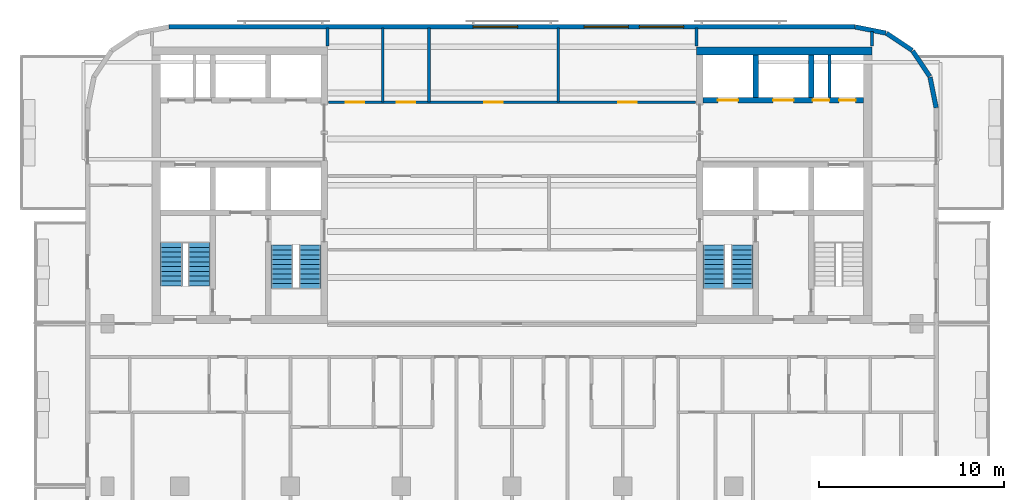
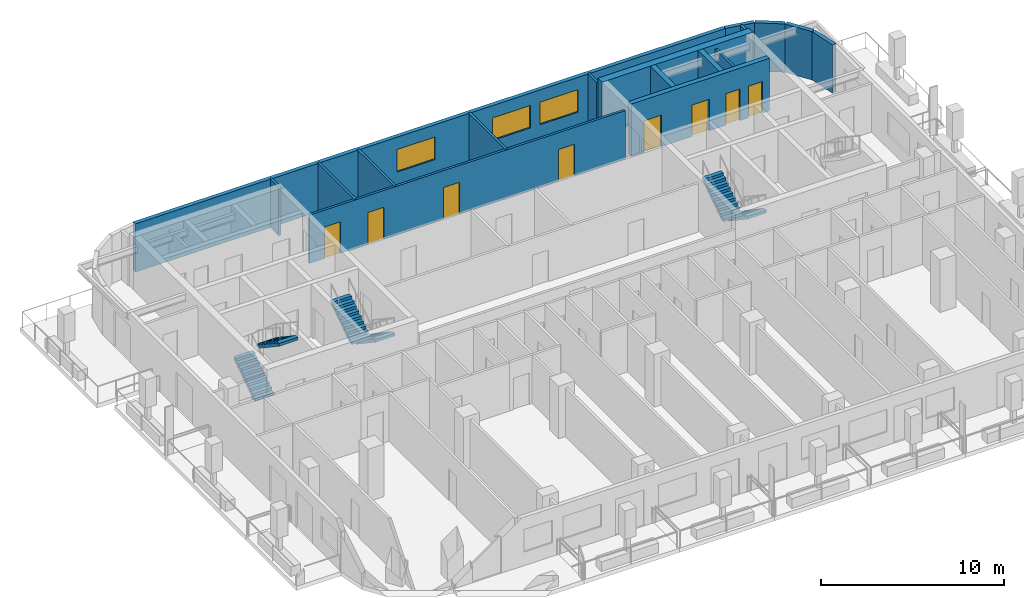
# One storey, part 7 of 11: 17 walls, 8 doors, 6 stair flights, 3 windows, 11 openings, 3 elements without a shape of their own.
"""IFC4 building model written with IfcOpenShell, lengths in metres."""

from ifc_helpers import new_model, si_unit, direction, frame, frame_2d, origin, place, context, subcontext, project, spatial, polyline, rectangle, outline, extrude, material, layer, layer_set, type_object, element, fill, aggregate, save


model = new_model("IFC4")

# Units and contexts
model_context = context("Model", 3, precision=1e-05, world=origin(), true_north=direction((0.0, 1.0)))
body_context = subcontext(model_context, "Body", "Model", "MODEL_VIEW")
ifc_project = project(units=[si_unit("LENGTHUNIT", "METRE"), si_unit("AREAUNIT", "SQUARE_METRE"), si_unit("VOLUMEUNIT", "CUBIC_METRE"), si_unit("PLANEANGLEUNIT", "RADIAN"), si_unit("MASSUNIT", "GRAM", prefix="KILO")], contexts=[model_context])

# Site, building, storey
site_placement = place(None, origin())
site = spatial("IfcSite", under=ifc_project, at=site_placement, CompositionType="ELEMENT")
building_placement = place(site_placement, origin())
building = spatial("IfcBuilding", under=site, at=building_placement, Name="Torana Hotel and Residences", CompositionType="ELEMENT")
storey_placement = place(building_placement, frame((0.0, 0.0, 256.10009765625)))
storey = spatial("IfcBuildingStorey", under=building, at=storey_placement, Name="L67", CompositionType="ELEMENT", Elevation=256.10009765625)

# Wall, openings, doors
ifc_material_1 = material(Name="Concrete C60/75", Category="concrete")
ifc_layer_1 = layer(ifc_material_1, 0.300048828125)
ifc_layer_set_1 = layer_set([ifc_layer_1], Name="CORE WALL 300 C60/75")
wall_type_1 = type_object("IfcWallType", Name="CORE WALL 300 C60/75", PredefinedType="SHEAR", material=ifc_layer_set_1)
wall_1_placement = place(storey_placement, frame((10.35009765625, -2.89990234375, 0.0), z_axis=(0.0, 0.0, 1.0), x_axis=(1.0, 0.0, 0.0)))
wall_1 = element("IfcWall", 1, at=wall_1_placement, inside=storey, type_object=wall_type_1, Name="Core wall E row-N", PredefinedType="SHEAR", context=body_context, shape_type="SweptSolid", body=[
    extrude(rectangle(XDim=8.699951171875, YDim=0.300048828125, at=frame_2d((4.35009765625, 0.0))), origin(), (0.0, 0.0, 1.0), 3.5),
])
opening_1_placement = place(wall_1_placement, frame((0.800048828125, 0.0, 0.0)))
opening_1 = element("IfcOpeningElement", 2, at=opening_1_placement, cuts=wall_1, Name="Opening LD", PredefinedType="OPENING", context=body_context, shape_type="SweptSolid", body=[
    extrude(rectangle(XDim=1.10009765625, YDim=2.10009765625, at=frame_2d((0.550048828125, 1.050048828125))), frame((0.0, 0.159912109375, 0.0), z_axis=(0.0, -1.0, 0.0), x_axis=(1.0, 0.0, 0.0)), (0.0, 0.0, 1.0), 0.320068359375),
])
opening_2_placement = place(wall_1_placement, frame((3.800048828125, 0.0, 0.0)))
opening_2 = element("IfcOpeningElement", 3, at=opening_2_placement, cuts=wall_1, Name="Opening LD", PredefinedType="OPENING", context=body_context, shape_type="SweptSolid", body=[
    extrude(rectangle(XDim=1.10009765625, YDim=2.10009765625, at=frame_2d((0.550048828125, 1.050048828125))), frame((0.0, 0.159912109375, 0.0), z_axis=(0.0, -1.0, 0.0), x_axis=(1.0, 0.0, 0.0)), (0.0, 0.0, 1.0), 0.320068359375),
])
opening_3_placement = place(wall_1_placement, frame((5.9375, 0.0, 0.0)))
opening_3 = element("IfcOpeningElement", 4, at=opening_3_placement, cuts=wall_1, Name="Opening L67-15", PredefinedType="OPENING", context=body_context, shape_type="SweptSolid", body=[
    extrude(rectangle(XDim=0.89990234375, YDim=2.10009765625, at=frame_2d((0.449951171875, 1.050048828125))), frame((0.0, 0.159912109375, 0.0), z_axis=(0.0, -1.0, 0.0), x_axis=(1.0, 0.0, 0.0)), (0.0, 0.0, 1.0), 0.320068359375),
])
opening_4_placement = place(wall_1_placement, frame((7.362548828125, 0.0, 0.0)))
opening_4 = element("IfcOpeningElement", 5, at=opening_4_placement, cuts=wall_1, Name="Opening L67-16", PredefinedType="OPENING", context=body_context, shape_type="SweptSolid", body=[
    extrude(rectangle(XDim=0.89990234375, YDim=2.10009765625, at=frame_2d((0.449951171875, 1.050048828125))), frame((0.0, 0.159912109375, 0.0), z_axis=(0.0, -1.0, 0.0), x_axis=(1.0, 0.0, 0.0)), (0.0, 0.0, 1.0), 0.320068359375),
])
ifc_material_2 = material(Name="Stainless steel 316", Category="steel")
door_type_1 = type_object("IfcDoorType", Name="LIFT LANDING DOOR LD 1100x2100", OperationType="DOUBLE_DOOR_SLIDING", PredefinedType="USERDEFINED", material=ifc_material_2)
door_1_placement = place(opening_1_placement, origin())
door_1 = element("IfcDoor", 6, at=door_1_placement, inside=storey, type_object=door_type_1, Name="Lift landing door H3 L67", ObjectType="LIFT LANDING DOOR", OperationType="DOUBLE_DOOR_SLIDING", OverallHeight=2.10009765625, OverallWidth=1.10009765625, PredefinedType="USERDEFINED", context=body_context, shape_type="SweptSolid", body=[
    extrude(rectangle(XDim=1.10009765625, YDim=2.10009765625, at=frame_2d((0.550048828125, 1.050048828125))), frame((0.0, 0.02490234375, 0.0), z_axis=(0.0, -1.0, 0.0), x_axis=(1.0, 0.0, 0.0)), (0.0, 0.0, 1.0), 0.050048828125),
])
fill(opening_1, door_1)
door_2_placement = place(opening_2_placement, origin())
door_2 = element("IfcDoor", 7, at=door_2_placement, inside=storey, type_object=door_type_1, Name="Lift landing door H4 L67", ObjectType="LIFT LANDING DOOR", OperationType="DOUBLE_DOOR_SLIDING", OverallHeight=2.10009765625, OverallWidth=1.10009765625, PredefinedType="USERDEFINED", context=body_context, shape_type="SweptSolid", body=[
    extrude(rectangle(XDim=1.10009765625, YDim=2.10009765625, at=frame_2d((0.550048828125, 1.050048828125))), frame((0.0, 0.02490234375, 0.0), z_axis=(0.0, -1.0, 0.0), x_axis=(1.0, 0.0, 0.0)), (0.0, 0.0, 1.0), 0.050048828125),
])
fill(opening_2, door_2)
ifc_material_3 = material(Name="Steel S235", Category="steel")
door_type_2 = type_object("IfcDoorType", Name="RISER ACCESS DOOR D5 900x2100", OperationType="SINGLE_SWING_LEFT", PredefinedType="DOOR", material=ifc_material_3)
door_3_placement = place(opening_3_placement, origin())
door_3 = element("IfcDoor", 8, at=door_3_placement, inside=storey, type_object=door_type_2, Name="N2A door L67", OperationType="SINGLE_SWING_RIGHT", OverallHeight=2.10009765625, OverallWidth=0.89990234375, PredefinedType="DOOR", context=body_context, shape_type="SweptSolid", body=[
    extrude(rectangle(XDim=0.89990234375, YDim=2.10009765625, at=frame_2d((0.449951171875, 1.050048828125))), frame((0.0, 0.02490234375, 0.0), z_axis=(0.0, -1.0, 0.0), x_axis=(1.0, 0.0, 0.0)), (0.0, 0.0, 1.0), 0.050048828125),
])
fill(opening_3, door_3)
door_4_placement = place(opening_4_placement, origin())
door_4 = element("IfcDoor", 9, at=door_4_placement, inside=storey, type_object=door_type_2, Name="N2B door L67", OperationType="SINGLE_SWING_RIGHT", OverallHeight=2.10009765625, OverallWidth=0.89990234375, PredefinedType="DOOR", context=body_context, shape_type="SweptSolid", body=[
    extrude(rectangle(XDim=0.89990234375, YDim=2.10009765625, at=frame_2d((0.449951171875, 1.050048828125))), frame((0.0, 0.02490234375, 0.0), z_axis=(0.0, -1.0, 0.0), x_axis=(1.0, 0.0, 0.0)), (0.0, 0.0, 1.0), 0.050048828125),
])
fill(opening_4, door_4)

# Walls
for number, where, z_axis, x_axis, name in (
    (10, (13.199951171875, -2.75, 0.0), (0.0, 0.0, 1.0), (0.0, 1.0, 0.0), "Core wall E x3.05-N"),
    (11, (16.199951171875, -2.75, 0.0), (0.0, 0.0, 1.0), (0.0, 1.0, 0.0), "Core wall E x6.05-N"),
):
    element("IfcWall", number, at=place(storey_placement, frame(where, z_axis=z_axis, x_axis=x_axis)), inside=storey, type_object=wall_type_1, Name=name, PredefinedType="SHEAR", context=body_context, shape_type="SweptSolid", body=[
        extrude(rectangle(XDim=2.300048828125, YDim=0.300048828125, at=frame_2d((1.14990234375, 0.0))), origin(), (0.0, 0.0, 1.0), 3.5),
    ])
ifc_material_4 = material(Name="Concrete C60/75", Category="concrete")
ifc_layer_2 = layer(ifc_material_4, 0.449951171875)
ifc_layer_set_2 = layer_set([ifc_layer_2], Name="CORE WALL 450 C60/75")
wall_type_2 = type_object("IfcWallType", Name="CORE WALL 450 C60/75", PredefinedType="SHEAR", material=ifc_layer_set_2)
wall_2_placement = place(storey_placement, frame((10.0, -0.22509765625, 0.0), z_axis=(0.0, 0.0, 1.0), x_axis=(1.0, 0.0, 0.0)))
element("IfcWall", 12, at=wall_2_placement, inside=storey, type_object=wall_type_2, Name="Core wall E rear", PredefinedType="SHEAR", context=body_context, shape_type="SweptSolid", body=[
    extrude(rectangle(XDim=9.5, YDim=0.449951171875, at=frame_2d((4.75, 0.0))), origin(), (0.0, 0.0, 1.0), 3.5),
])
ifc_material_5 = material(Name="Black aluminium composite panel", Category="aluminium")
ifc_layer_3 = layer(ifc_material_5, 0.00390625, Name="Cladding", Category="cladding")
ifc_material_6 = material(Name="Ventilated air cavity")
ifc_layer_4 = layer(ifc_material_6, 0.0400390625, Name="Ventilated cavity", Category="cavity")
ifc_material_7 = material(Name="Mineral wool insulation")
ifc_layer_5 = layer(ifc_material_7, 0.090087890625, Name="Insulation", Category="insulation")
ifc_material_8 = material(Name="Steel S280GD", Category="steel")
ifc_layer_6 = layer(ifc_material_8, 0.092041015625, Name="Steel stud frame", Category="structure")
ifc_material_9 = material(Name="Fire rated plasterboard")
ifc_layer_7 = layer(ifc_material_9, 0.011962890625, Name="Inner board", Category="finish")
ifc_layer_8 = layer(ifc_material_9, 0.011962890625, Name="Second board", Category="finish")
ifc_layer_set_3 = layer_set([ifc_layer_3, ifc_layer_4, ifc_layer_5, ifc_layer_6, ifc_layer_7, ifc_layer_8], Name="EW1 EXTERNAL WALL BLACK METAL CLAD 250")
wall_type_3 = type_object("IfcWallType", Name="EW1 EXTERNAL WALL BLACK METAL CLAD 250", PredefinedType="SOLIDWALL", material=ifc_layer_set_3)
wall_3_placement = place(storey_placement, frame((22.97265625, -3.30029296875, 0.0), z_axis=(0.0, 0.0, 1.0), x_axis=(-0.19513878023, 0.980775640221, 0.0)))
element("IfcWall", 13, at=wall_3_placement, inside=storey, type_object=wall_type_3, Name="External wall L67 e0.0", PredefinedType="SOLIDWALL", context=body_context, shape_type="SweptSolid", body=[
    extrude(rectangle(XDim=1.681396484375, YDim=0.25, at=frame_2d((0.8408203125, 0.0))), origin(), (0.0, 0.0, 1.0), 3.219970703125),
])
for number, where, z_axis, x_axis, name in (
    (14, (22.6259765625, -1.60595703125, 0.0), (0.0, 0.0, 1.0), (-0.55555029066, 0.831482937015, 0.0), "External wall L67 e0.1"),
    (15, (21.671142578125, -0.1943359375, 0.0), (0.0, 0.0, 1.0), (-0.831482937015, 0.55555029066, 0.0), "External wall L67 e0.2"),
):
    element("IfcWall", number, at=place(storey_placement, frame(where, z_axis=z_axis, x_axis=x_axis)), inside=storey, type_object=wall_type_3, Name=name, PredefinedType="SOLIDWALL", context=body_context, shape_type="SweptSolid", body=[
        extrude(rectangle(XDim=1.65625, YDim=0.25, at=frame_2d((0.828125, 0.0))), origin(), (0.0, 0.0, 1.0), 3.219970703125),
    ])
wall_4_placement = place(storey_placement, frame((20.248779296875, 0.74462890625, 0.0), z_axis=(0.0, 0.0, 1.0), x_axis=(-0.980797896849, 0.195026884138, 0.0)))
element("IfcWall", 16, at=wall_4_placement, inside=storey, type_object=wall_type_3, Name="External wall L67 e0.3", PredefinedType="SOLIDWALL", context=body_context, shape_type="SweptSolid", body=[
    extrude(rectangle(XDim=1.68115234375, YDim=0.25, at=frame_2d((0.840576171875, 0.0))), origin(), (0.0, 0.0, 1.0), 3.219970703125),
])

# Wall, openings, windows
ifc_material_10 = material(Name="Concrete C40/50 precast", Category="concrete")
ifc_layer_9 = layer(ifc_material_10, 0.10009765625, Name="Perforated block", Category="cladding")
ifc_material_11 = material(Name="Air cavity")
ifc_layer_10 = layer(ifc_material_11, 0.030029296875, Name="Cavity", Category="cavity")
ifc_material_12 = material(Name="Concrete C40/50", Category="concrete")
ifc_layer_11 = layer(ifc_material_12, 0.10009765625, Name="Wall", Category="structure")
ifc_material_13 = material(Name="Plaster and paint")
ifc_layer_12 = layer(ifc_material_13, 0.02001953125, Name="Inner finish", Category="finish")
ifc_layer_set_4 = layer_set([ifc_layer_9, ifc_layer_10, ifc_layer_11, ifc_layer_12], Name="EW2 PERFORATED BLOCK SCREEN WALL 250")
wall_type_4 = type_object("IfcWallType", Name="EW2 PERFORATED BLOCK SCREEN WALL 250", PredefinedType="SOLIDWALL", material=ifc_layer_set_4)
wall_5_placement = place(storey_placement, frame((18.575439453125, 1.074951171875, 0.0), z_axis=(0.0, 0.0, 1.0), x_axis=(-1.0, 0.0, 0.0)))
wall_5 = element("IfcWall", 17, at=wall_5_placement, inside=storey, type_object=wall_type_4, Name="External wall L67 e0.4", PredefinedType="SOLIDWALL", context=body_context, shape_type="SweptSolid", body=[
    extrude(rectangle(XDim=37.15087890625, YDim=0.25, at=frame_2d((18.575439453125, 0.0))), origin(), (0.0, 0.0, 1.0), 3.219970703125),
])
opening_5_placement = place(wall_5_placement, frame((9.275390625, 0.0, 0.89990234375)))
opening_5 = element("IfcOpeningElement", 18, at=opening_5_placement, cuts=wall_5, Name="Opening W3", PredefinedType="OPENING", context=body_context, shape_type="SweptSolid", body=[
    extrude(rectangle(XDim=2.39990234375, YDim=1.5, at=frame_2d((1.199951171875, 0.75))), frame((0.0, 0.135009765625, 0.0), z_axis=(0.0, -1.0, 0.0), x_axis=(1.0, 0.0, 0.0)), (0.0, 0.0, 1.0), 0.27001953125),
])
opening_6_placement = place(wall_5_placement, frame((12.275390625, 0.0, 0.89990234375)))
opening_6 = element("IfcOpeningElement", 19, at=opening_6_placement, cuts=wall_5, Name="Opening W3", PredefinedType="OPENING", context=body_context, shape_type="SweptSolid", body=[
    extrude(rectangle(XDim=2.39990234375, YDim=1.5, at=frame_2d((1.199951171875, 0.75))), frame((0.0, 0.135009765625, 0.0), z_axis=(0.0, -1.0, 0.0), x_axis=(1.0, 0.0, 0.0)), (0.0, 0.0, 1.0), 0.27001953125),
])
opening_7_placement = place(wall_5_placement, frame((18.275390625, 0.0, 0.89990234375)))
opening_7 = element("IfcOpeningElement", 20, at=opening_7_placement, cuts=wall_5, Name="Opening W3", PredefinedType="OPENING", context=body_context, shape_type="SweptSolid", body=[
    extrude(rectangle(XDim=2.39990234375, YDim=1.5, at=frame_2d((1.199951171875, 0.75))), frame((0.0, 0.135009765625, 0.0), z_axis=(0.0, -1.0, 0.0), x_axis=(1.0, 0.0, 0.0)), (0.0, 0.0, 1.0), 0.27001953125),
])
ifc_material_14 = material(Name="Dark glass in black aluminium frame", Category="aluminium")
window_type = type_object("IfcWindowType", Name="W3 RESIDENCE WINDOW 2400x1500", PartitioningType="SINGLE_PANEL", PredefinedType="WINDOW", material=ifc_material_14)
window_1_placement = place(opening_5_placement, origin())
window_1 = element("IfcWindow", 21, at=window_1_placement, inside=storey, type_object=window_type, Name="Window L67", OverallHeight=1.5, OverallWidth=2.39990234375, PartitioningType="SINGLE_PANEL", PredefinedType="WINDOW", context=body_context, shape_type="SweptSolid", body=[
    extrude(rectangle(XDim=2.39990234375, YDim=1.5, at=frame_2d((1.199951171875, 0.75))), frame((0.0, 0.030029296875, 0.0), z_axis=(0.0, -1.0, 0.0), x_axis=(1.0, 0.0, 0.0)), (0.0, 0.0, 1.0), 0.06005859375),
])
fill(opening_5, window_1)
window_2_placement = place(opening_6_placement, origin())
window_2 = element("IfcWindow", 22, at=window_2_placement, inside=storey, type_object=window_type, Name="Window L67", OverallHeight=1.5, OverallWidth=2.39990234375, PartitioningType="SINGLE_PANEL", PredefinedType="WINDOW", context=body_context, shape_type="SweptSolid", body=[
    extrude(rectangle(XDim=2.39990234375, YDim=1.5, at=frame_2d((1.199951171875, 0.75))), frame((0.0, 0.030029296875, 0.0), z_axis=(0.0, -1.0, 0.0), x_axis=(1.0, 0.0, 0.0)), (0.0, 0.0, 1.0), 0.06005859375),
])
fill(opening_6, window_2)
window_3_placement = place(opening_7_placement, origin())
window_3 = element("IfcWindow", 23, at=window_3_placement, inside=storey, type_object=window_type, Name="Window L67", OverallHeight=1.5, OverallWidth=2.39990234375, PartitioningType="SINGLE_PANEL", PredefinedType="WINDOW", context=body_context, shape_type="SweptSolid", body=[
    extrude(rectangle(XDim=2.39990234375, YDim=1.5, at=frame_2d((1.199951171875, 0.75))), frame((0.0, 0.030029296875, 0.0), z_axis=(0.0, -1.0, 0.0), x_axis=(1.0, 0.0, 0.0)), (0.0, 0.0, 1.0), 0.06005859375),
])
fill(opening_7, window_3)

# Wall
ifc_material_15 = material(Name="Gypsum plaster")
ifc_layer_13 = layer(ifc_material_15, 0.014892578125, Name="Plaster", Category="finish")
ifc_material_16 = material(Name="Concrete blockwork", Category="masonry")
ifc_layer_14 = layer(ifc_material_16, 0.1201171875, Name="Blockwork", Category="structure")
ifc_layer_15 = layer(ifc_material_15, 0.014892578125, Name="Plaster", Category="finish")
ifc_layer_set_5 = layer_set([ifc_layer_13, ifc_layer_14, ifc_layer_15], Name="FIRE PARTITION 150 BLOCKWORK")
wall_type_5 = type_object("IfcWallType", Name="FIRE PARTITION 150 BLOCKWORK", PredefinedType="PARTITIONING", material=ifc_layer_set_5)
wall_6_placement = place(storey_placement, frame((17.199951171875, -2.75, 0.0), z_axis=(0.0, 0.0, 1.0), x_axis=(0.0, 1.0, 0.0)))
element("IfcWall", 24, at=wall_6_placement, inside=storey, type_object=wall_type_5, Name="Core partition L67", PredefinedType="PARTITIONING", context=body_context, shape_type="SweptSolid", body=[
    extrude(rectangle(XDim=2.300048828125, YDim=0.14990234375, at=frame_2d((1.14990234375, 0.0))), origin(), (0.0, 0.0, 1.0), 3.199951171875),
])

# Wall, openings, doors
wall_7_placement = place(storey_placement, frame((-9.949951171875, -3.0, 0.0), z_axis=(0.0, 0.0, 1.0), x_axis=(1.0, 0.0, 0.0)))
wall_7 = element("IfcWall", 25, at=wall_7_placement, inside=storey, type_object=wall_type_5, Name="Partition L67", PredefinedType="PARTITIONING", context=body_context, shape_type="SweptSolid", body=[
    extrude(rectangle(XDim=19.89990234375, YDim=0.14990234375, at=frame_2d((9.949951171875, 0.0))), origin(), (0.0, 0.0, 1.0), 3.219970703125),
])
opening_8_placement = place(wall_7_placement, frame((0.949951171875, 0.0, 0.0)))
opening_8 = element("IfcOpeningElement", 26, at=opening_8_placement, cuts=wall_7, Name="Opening L67-35", PredefinedType="OPENING", context=body_context, shape_type="SweptSolid", body=[
    extrude(rectangle(XDim=1.0, YDim=2.10009765625, at=frame_2d((0.5, 1.050048828125))), frame((0.0, 0.0849609375, 0.0), z_axis=(0.0, -1.0, 0.0), x_axis=(1.0, 0.0, 0.0)), (0.0, 0.0, 1.0), 0.169921875),
])
opening_9_placement = place(wall_7_placement, frame((3.699951171875, 0.0, 0.0)))
opening_9 = element("IfcOpeningElement", 27, at=opening_9_placement, cuts=wall_7, Name="Opening L67-36", PredefinedType="OPENING", context=body_context, shape_type="SweptSolid", body=[
    extrude(rectangle(XDim=1.0, YDim=2.10009765625, at=frame_2d((0.5, 1.050048828125))), frame((0.0, 0.0849609375, 0.0), z_axis=(0.0, -1.0, 0.0), x_axis=(1.0, 0.0, 0.0)), (0.0, 0.0, 1.0), 0.169921875),
])
opening_10_placement = place(wall_7_placement, frame((8.449951171875, 0.0, 0.0)))
opening_10 = element("IfcOpeningElement", 28, at=opening_10_placement, cuts=wall_7, Name="Opening L67-37", PredefinedType="OPENING", context=body_context, shape_type="SweptSolid", body=[
    extrude(rectangle(XDim=1.0, YDim=2.10009765625, at=frame_2d((0.5, 1.050048828125))), frame((0.0, 0.0849609375, 0.0), z_axis=(0.0, -1.0, 0.0), x_axis=(1.0, 0.0, 0.0)), (0.0, 0.0, 1.0), 0.169921875),
])
opening_11_placement = place(wall_7_placement, frame((15.699951171875, 0.0, 0.0)))
opening_11 = element("IfcOpeningElement", 29, at=opening_11_placement, cuts=wall_7, Name="Opening L67-38", PredefinedType="OPENING", context=body_context, shape_type="SweptSolid", body=[
    extrude(rectangle(XDim=1.0, YDim=2.10009765625, at=frame_2d((0.5, 1.050048828125))), frame((0.0, 0.0849609375, 0.0), z_axis=(0.0, -1.0, 0.0), x_axis=(1.0, 0.0, 0.0)), (0.0, 0.0, 1.0), 0.169921875),
])
ifc_material_17 = material(Name="Steel S235", Category="steel")
door_type_3 = type_object("IfcDoorType", Name="ENTRY FIRE DOOR D6 1000x2100", OperationType="SINGLE_SWING_LEFT", PredefinedType="DOOR", material=ifc_material_17)
door_5_placement = place(opening_8_placement, origin())
door_5 = element("IfcDoor", 30, at=door_5_placement, inside=storey, type_object=door_type_3, Name="Door L67", OperationType="SINGLE_SWING_RIGHT", OverallHeight=2.10009765625, OverallWidth=1.0, PredefinedType="DOOR", context=body_context, shape_type="SweptSolid", body=[
    extrude(rectangle(XDim=1.0, YDim=2.10009765625, at=frame_2d((0.5, 1.050048828125))), frame((0.0, 0.02490234375, 0.0), z_axis=(0.0, -1.0, 0.0), x_axis=(1.0, 0.0, 0.0)), (0.0, 0.0, 1.0), 0.050048828125),
])
fill(opening_8, door_5)
door_6_placement = place(opening_9_placement, origin())
door_6 = element("IfcDoor", 31, at=door_6_placement, inside=storey, type_object=door_type_3, Name="Door L67", OperationType="SINGLE_SWING_RIGHT", OverallHeight=2.10009765625, OverallWidth=1.0, PredefinedType="DOOR", context=body_context, shape_type="SweptSolid", body=[
    extrude(rectangle(XDim=1.0, YDim=2.10009765625, at=frame_2d((0.5, 1.050048828125))), frame((0.0, 0.02490234375, 0.0), z_axis=(0.0, -1.0, 0.0), x_axis=(1.0, 0.0, 0.0)), (0.0, 0.0, 1.0), 0.050048828125),
])
fill(opening_9, door_6)
door_7_placement = place(opening_10_placement, origin())
door_7 = element("IfcDoor", 32, at=door_7_placement, inside=storey, type_object=door_type_3, Name="Door L67", OperationType="SINGLE_SWING_RIGHT", OverallHeight=2.10009765625, OverallWidth=1.0, PredefinedType="DOOR", context=body_context, shape_type="SweptSolid", body=[
    extrude(rectangle(XDim=1.0, YDim=2.10009765625, at=frame_2d((0.5, 1.050048828125))), frame((0.0, 0.02490234375, 0.0), z_axis=(0.0, -1.0, 0.0), x_axis=(1.0, 0.0, 0.0)), (0.0, 0.0, 1.0), 0.050048828125),
])
fill(opening_10, door_7)
door_8_placement = place(opening_11_placement, origin())
door_8 = element("IfcDoor", 33, at=door_8_placement, inside=storey, type_object=door_type_3, Name="Door L67", OperationType="SINGLE_SWING_RIGHT", OverallHeight=2.10009765625, OverallWidth=1.0, PredefinedType="DOOR", context=body_context, shape_type="SweptSolid", body=[
    extrude(rectangle(XDim=1.0, YDim=2.10009765625, at=frame_2d((0.5, 1.050048828125))), frame((0.0, 0.02490234375, 0.0), z_axis=(0.0, -1.0, 0.0), x_axis=(1.0, 0.0, 0.0)), (0.0, 0.0, 1.0), 0.050048828125),
])
fill(opening_11, door_8)

# Walls
ifc_material_18 = material(Name="Gypsum plasterboard")
ifc_layer_16 = layer(ifc_material_18, 0.012451171875, Name="Plasterboard", Category="finish")
ifc_layer_17 = layer(ifc_material_18, 0.012451171875, Name="Plasterboard", Category="finish")
ifc_layer_18 = layer(ifc_material_8, 0.10009765625, Name="Steel studs with mineral wool", Category="insulation")
ifc_layer_19 = layer(ifc_material_18, 0.012451171875, Name="Plasterboard", Category="finish")
ifc_layer_20 = layer(ifc_material_18, 0.012451171875, Name="Plasterboard", Category="finish")
ifc_layer_set_6 = layer_set([ifc_layer_16, ifc_layer_17, ifc_layer_18, ifc_layer_19, ifc_layer_20], Name="PARTITION 150 PLASTERBOARD")
wall_type_6 = type_object("IfcWallType", Name="PARTITION 150 PLASTERBOARD", PredefinedType="PARTITIONING", material=ifc_layer_set_6)
wall_8_placement = place(storey_placement, frame((19.5, 0.050048828125, 0.0), z_axis=(0.0, 0.0, 1.0), x_axis=(0.0, 1.0, 0.0)))
element("IfcWall", 34, at=wall_8_placement, inside=storey, type_object=wall_type_6, Name="Partition L67", PredefinedType="PARTITIONING", context=body_context, shape_type="SweptSolid", body=[
    extrude(rectangle(XDim=0.787353515625, YDim=0.14990234375, at=frame_2d((0.3935546875, 0.0))), origin(), (0.0, 0.0, 1.0), 3.219970703125),
])
wall_9_placement = place(storey_placement, frame((10.0, 0.050048828125, 0.0), z_axis=(0.0, 0.0, 1.0), x_axis=(0.0, 1.0, 0.0)))
element("IfcWall", 35, at=wall_9_placement, inside=storey, type_object=wall_type_6, Name="Partition L67", PredefinedType="PARTITIONING", context=body_context, shape_type="SweptSolid", body=[
    extrude(rectangle(XDim=0.969970703125, YDim=0.14990234375, at=frame_2d((0.48486328125, 0.0))), origin(), (0.0, 0.0, 1.0), 3.219970703125),
])
wall_10_placement = place(storey_placement, frame((2.5, -3.0, 0.0), z_axis=(0.0, 0.0, 1.0), x_axis=(0.0, 1.0, 0.0)))
element("IfcWall", 36, at=wall_10_placement, inside=storey, type_object=wall_type_6, Name="Partition L67", PredefinedType="PARTITIONING", context=body_context, shape_type="SweptSolid", body=[
    extrude(rectangle(XDim=4.02001953125, YDim=0.14990234375, at=frame_2d((2.010009765625, 0.0))), origin(), (0.0, 0.0, 1.0), 3.219970703125),
])
ifc_material_19 = material(Name="Ceramic tile on adhesive")
ifc_layer_21 = layer(ifc_material_19, 0.010009765625, Name="Wall tile", Category="finish")
ifc_material_20 = material(Name="Cement render")
ifc_layer_22 = layer(ifc_material_20, 0.010009765625, Name="Render", Category="finish")
ifc_layer_23 = layer(ifc_material_16, 0.110107421875, Name="Blockwork", Category="structure")
ifc_layer_24 = layer(ifc_material_20, 0.010009765625, Name="Render", Category="finish")
ifc_layer_25 = layer(ifc_material_19, 0.010009765625, Name="Wall tile", Category="finish")
ifc_layer_set_7 = layer_set([ifc_layer_21, ifc_layer_22, ifc_layer_23, ifc_layer_24, ifc_layer_25], Name="WC PARTITION 150")
wall_type_7 = type_object("IfcWallType", Name="WC PARTITION 150", PredefinedType="PLUMBINGWALL", material=ifc_layer_set_7)
for number, where, z_axis, x_axis, name in (
    (37, (-4.5, -3.0, 0.0), (0.0, 0.0, 1.0), (0.0, 1.0, 0.0), "Partition L67"),
    (38, (-7.0, -3.0, 0.0), (0.0, 0.0, 1.0), (0.0, 1.0, 0.0), "Partition L67"),
):
    element("IfcWall", number, at=place(storey_placement, frame(where, z_axis=z_axis, x_axis=x_axis)), inside=storey, type_object=wall_type_7, Name=name, PredefinedType="PLUMBINGWALL", context=body_context, shape_type="SweptSolid", body=[
        extrude(rectangle(XDim=4.02001953125, YDim=0.14990234375, at=frame_2d((2.010009765625, 0.0))), origin(), (0.0, 0.0, 1.0), 3.219970703125),
    ])
wall_11_placement = place(storey_placement, frame((-10.0, 0.050048828125, 0.0), z_axis=(0.0, 0.0, 1.0), x_axis=(0.0, 1.0, 0.0)))
element("IfcWall", 39, at=wall_11_placement, inside=storey, type_object=wall_type_7, Name="Partition L67", PredefinedType="PLUMBINGWALL", context=body_context, shape_type="SweptSolid", body=[
    extrude(rectangle(XDim=0.969970703125, YDim=0.14990234375, at=frame_2d((0.48486328125, 0.0))), origin(), (0.0, 0.0, 1.0), 3.219970703125),
])

# Stair, stair flights
ifc_material_21 = material(Name="Concrete C40/50 precast", Category="concrete")
stair_type_1 = type_object("IfcStairType", Name="STAIR ST1 HALF TURN 1200", PredefinedType="HALF_TURN_STAIR", material=ifc_material_21)
stair_1_placement = place(storey_placement, origin())
stair_1 = element("IfcStair", 40, at=stair_1_placement, inside=storey, type_object=stair_type_1, Name="Stair ST1 L67", PredefinedType="HALF_TURN_STAIR")
ifc_material_22 = material(Name="Concrete C40/50 precast", Category="concrete")
stair_flight_type = type_object("IfcStairFlightType", Name="STAIR FLIGHT 1200 PRECAST", PredefinedType="STRAIGHT", material=ifc_material_22)
stair_flight_1_placement = place(storey_placement, frame((-10.949951171875, -10.75, 0.0), z_axis=(0.0, 0.0, 1.0), x_axis=(0.0, -1.0, 0.0)))
stair_flight_1 = element("IfcStairFlight", 41, at=stair_flight_1_placement, type_object=stair_flight_type, Name="ST1 flight 1", NumberOfRisers=10, NumberOfTreads=9, PredefinedType="STRAIGHT", RiserHeight=0.175, TreadLength=0.26, context=body_context, shape_type="SweptSolid", body=[
    extrude(outline(polyline([(0.0, 0.0), (0.0, 0.175048828125), (0.260009765625, 0.175048828125), (0.260009765625, 0.35009765625), (0.52001953125, 0.35009765625), (0.52001953125, 0.52490234375), (0.780029296875, 0.52490234375), (0.780029296875, 0.699951171875), (1.0400390625, 0.699951171875), (1.0400390625, 0.875), (1.300048828125, 0.875), (1.300048828125, 1.050048828125), (1.56005859375, 1.050048828125), (1.56005859375, 1.22509765625), (1.820068359375, 1.22509765625), (1.820068359375, 1.39990234375), (2.080078125, 1.39990234375), (2.080078125, 1.574951171875), (2.340087890625, 1.574951171875), (2.340087890625, 1.75), (2.340087890625, 1.394287109375), (0.2685546875, 0.0), (0.0, 0.0)])), frame((0.0, 0.60009765625, 0.0), z_axis=(0.0, -1.0, 0.0), x_axis=(1.0, 0.0, 0.0)), (0.0, 0.0, 1.0), 1.199951171875),
])
stair_flight_2_placement = place(storey_placement, frame((-12.449951171875, -13.090087890625, 1.75), z_axis=(0.0, 0.0, 1.0), x_axis=(0.0, 1.0, 0.0)))
stair_flight_2 = element("IfcStairFlight", 42, at=stair_flight_2_placement, type_object=stair_flight_type, Name="ST1 flight 2", NumberOfRisers=10, NumberOfTreads=9, PredefinedType="STRAIGHT", RiserHeight=0.175, TreadLength=0.26, context=body_context, shape_type="SweptSolid", body=[
    extrude(outline(polyline([(0.0, 0.0), (0.0, 0.175048828125), (0.260009765625, 0.175048828125), (0.260009765625, 0.35009765625), (0.52001953125, 0.35009765625), (0.52001953125, 0.52490234375), (0.780029296875, 0.52490234375), (0.780029296875, 0.699951171875), (1.0400390625, 0.699951171875), (1.0400390625, 0.875), (1.300048828125, 0.875), (1.300048828125, 1.050048828125), (1.56005859375, 1.050048828125), (1.56005859375, 1.22509765625), (1.820068359375, 1.22509765625), (1.820068359375, 1.39990234375), (2.080078125, 1.39990234375), (2.080078125, 1.574951171875), (2.340087890625, 1.574951171875), (2.340087890625, 1.75), (2.340087890625, 1.394287109375), (0.2685546875, 0.0), (0.0, 0.0)])), frame((0.0, 0.60009765625, 0.0), z_axis=(0.0, -1.0, 0.0), x_axis=(1.0, 0.0, 0.0)), (0.0, 0.0, 1.0), 1.199951171875),
])
aggregate(stair_1, [stair_flight_1, stair_flight_2])

ifc_material_23 = material(Name="Concrete C40/50 precast", Category="concrete")
stair_type_2 = type_object("IfcStairType", Name="STAIR ST2 HALF TURN 1200", PredefinedType="HALF_TURN_STAIR", material=ifc_material_23)
stair_2_placement = place(storey_placement, origin())
stair_2 = element("IfcStair", 43, at=stair_2_placement, inside=storey, type_object=stair_type_2, Name="Stair ST2 L67", PredefinedType="HALF_TURN_STAIR")
stair_flight_3_placement = place(storey_placement, frame((-18.449951171875, -12.949951171875, 0.0), z_axis=(0.0, 0.0, 1.0), x_axis=(0.0, 1.0, 0.0)))
stair_flight_3 = element("IfcStairFlight", 44, at=stair_flight_3_placement, type_object=stair_flight_type, Name="ST2 flight 1", NumberOfRisers=10, NumberOfTreads=9, PredefinedType="STRAIGHT", RiserHeight=0.175, TreadLength=0.26, context=body_context, shape_type="SweptSolid", body=[
    extrude(outline(polyline([(0.0, 0.0), (0.0, 0.175048828125), (0.260009765625, 0.175048828125), (0.260009765625, 0.35009765625), (0.52001953125, 0.35009765625), (0.52001953125, 0.52490234375), (0.780029296875, 0.52490234375), (0.780029296875, 0.699951171875), (1.0400390625, 0.699951171875), (1.0400390625, 0.875), (1.300048828125, 0.875), (1.300048828125, 1.050048828125), (1.56005859375, 1.050048828125), (1.56005859375, 1.22509765625), (1.820068359375, 1.22509765625), (1.820068359375, 1.39990234375), (2.080078125, 1.39990234375), (2.080078125, 1.574951171875), (2.340087890625, 1.574951171875), (2.340087890625, 1.75), (2.340087890625, 1.394287109375), (0.2685546875, 0.0), (0.0, 0.0)])), frame((0.0, 0.60009765625, 0.0), z_axis=(0.0, -1.0, 0.0), x_axis=(1.0, 0.0, 0.0)), (0.0, 0.0, 1.0), 1.199951171875),
])
stair_flight_4_placement = place(storey_placement, frame((-16.949951171875, -10.610107421875, 1.75), z_axis=(0.0, 0.0, 1.0), x_axis=(0.0, -1.0, 0.0)))
stair_flight_4 = element("IfcStairFlight", 45, at=stair_flight_4_placement, type_object=stair_flight_type, Name="ST2 flight 2", NumberOfRisers=10, NumberOfTreads=9, PredefinedType="STRAIGHT", RiserHeight=0.175, TreadLength=0.26, context=body_context, shape_type="SweptSolid", body=[
    extrude(outline(polyline([(0.0, 0.0), (0.0, 0.175048828125), (0.260009765625, 0.175048828125), (0.260009765625, 0.35009765625), (0.52001953125, 0.35009765625), (0.52001953125, 0.52490234375), (0.780029296875, 0.52490234375), (0.780029296875, 0.699951171875), (1.0400390625, 0.699951171875), (1.0400390625, 0.875), (1.300048828125, 0.875), (1.300048828125, 1.050048828125), (1.56005859375, 1.050048828125), (1.56005859375, 1.22509765625), (1.820068359375, 1.22509765625), (1.820068359375, 1.39990234375), (2.080078125, 1.39990234375), (2.080078125, 1.574951171875), (2.340087890625, 1.574951171875), (2.340087890625, 1.75), (2.340087890625, 1.394287109375), (0.2685546875, 0.0), (0.0, 0.0)])), frame((0.0, 0.60009765625, 0.0), z_axis=(0.0, -1.0, 0.0), x_axis=(1.0, 0.0, 0.0)), (0.0, 0.0, 1.0), 1.199951171875),
])
aggregate(stair_2, [stair_flight_3, stair_flight_4])

ifc_material_24 = material(Name="Concrete C40/50 precast", Category="concrete")
stair_type_3 = type_object("IfcStairType", Name="STAIR ST3 HALF TURN 1200", PredefinedType="HALF_TURN_STAIR", material=ifc_material_24)
stair_3_placement = place(storey_placement, origin())
stair_3 = element("IfcStair", 46, at=stair_3_placement, inside=storey, type_object=stair_type_3, Name="Stair ST3 L67", PredefinedType="HALF_TURN_STAIR")
stair_flight_5_placement = place(storey_placement, frame((12.449951171875, -10.75, 0.0), z_axis=(0.0, 0.0, 1.0), x_axis=(0.0, -1.0, 0.0)))
stair_flight_5 = element("IfcStairFlight", 47, at=stair_flight_5_placement, type_object=stair_flight_type, Name="ST3 flight 1", NumberOfRisers=10, NumberOfTreads=9, PredefinedType="STRAIGHT", RiserHeight=0.175, TreadLength=0.26, context=body_context, shape_type="SweptSolid", body=[
    extrude(outline(polyline([(0.0, 0.0), (0.0, 0.175048828125), (0.260009765625, 0.175048828125), (0.260009765625, 0.35009765625), (0.52001953125, 0.35009765625), (0.52001953125, 0.52490234375), (0.780029296875, 0.52490234375), (0.780029296875, 0.699951171875), (1.0400390625, 0.699951171875), (1.0400390625, 0.875), (1.300048828125, 0.875), (1.300048828125, 1.050048828125), (1.56005859375, 1.050048828125), (1.56005859375, 1.22509765625), (1.820068359375, 1.22509765625), (1.820068359375, 1.39990234375), (2.080078125, 1.39990234375), (2.080078125, 1.574951171875), (2.340087890625, 1.574951171875), (2.340087890625, 1.75), (2.340087890625, 1.394287109375), (0.2685546875, 0.0), (0.0, 0.0)])), frame((0.0, 0.60009765625, 0.0), z_axis=(0.0, -1.0, 0.0), x_axis=(1.0, 0.0, 0.0)), (0.0, 0.0, 1.0), 1.199951171875),
])
stair_flight_6_placement = place(storey_placement, frame((10.949951171875, -13.090087890625, 1.75), z_axis=(0.0, 0.0, 1.0), x_axis=(0.0, 1.0, 0.0)))
stair_flight_6 = element("IfcStairFlight", 48, at=stair_flight_6_placement, type_object=stair_flight_type, Name="ST3 flight 2", NumberOfRisers=10, NumberOfTreads=9, PredefinedType="STRAIGHT", RiserHeight=0.175, TreadLength=0.26, context=body_context, shape_type="SweptSolid", body=[
    extrude(outline(polyline([(0.0, 0.0), (0.0, 0.175048828125), (0.260009765625, 0.175048828125), (0.260009765625, 0.35009765625), (0.52001953125, 0.35009765625), (0.52001953125, 0.52490234375), (0.780029296875, 0.52490234375), (0.780029296875, 0.699951171875), (1.0400390625, 0.699951171875), (1.0400390625, 0.875), (1.300048828125, 0.875), (1.300048828125, 1.050048828125), (1.56005859375, 1.050048828125), (1.56005859375, 1.22509765625), (1.820068359375, 1.22509765625), (1.820068359375, 1.39990234375), (2.080078125, 1.39990234375), (2.080078125, 1.574951171875), (2.340087890625, 1.574951171875), (2.340087890625, 1.75), (2.340087890625, 1.394287109375), (0.2685546875, 0.0), (0.0, 0.0)])), frame((0.0, 0.60009765625, 0.0), z_axis=(0.0, -1.0, 0.0), x_axis=(1.0, 0.0, 0.0)), (0.0, 0.0, 1.0), 1.199951171875),
])
aggregate(stair_3, [stair_flight_5, stair_flight_6])

save(model, "model.ifc")
